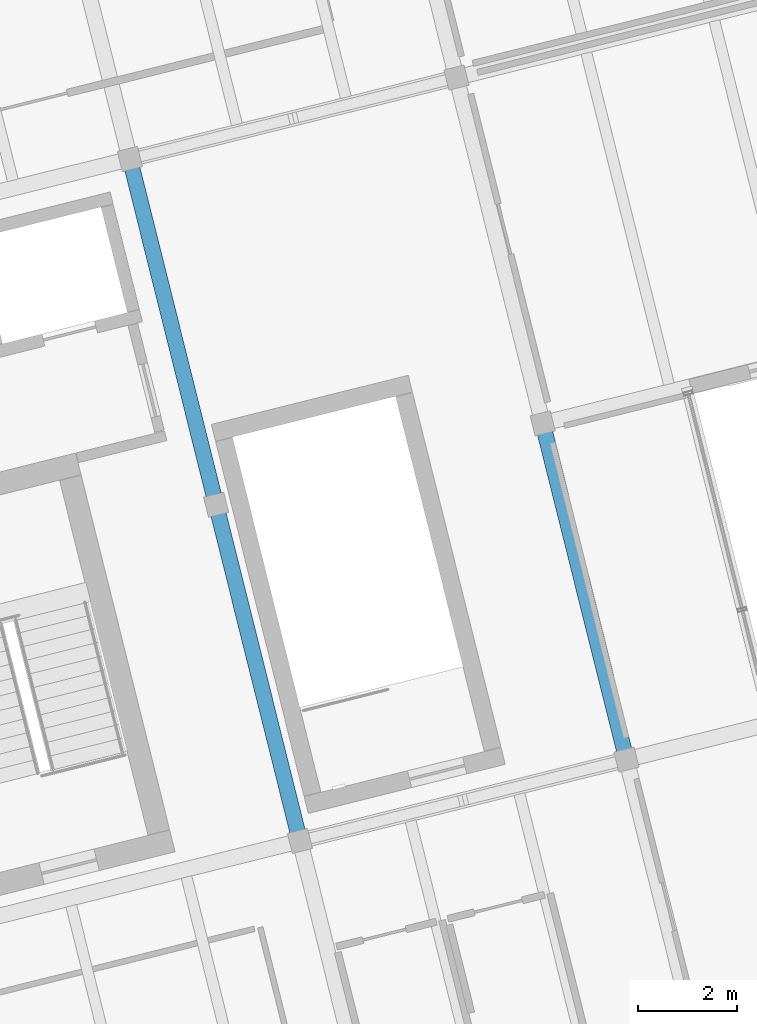
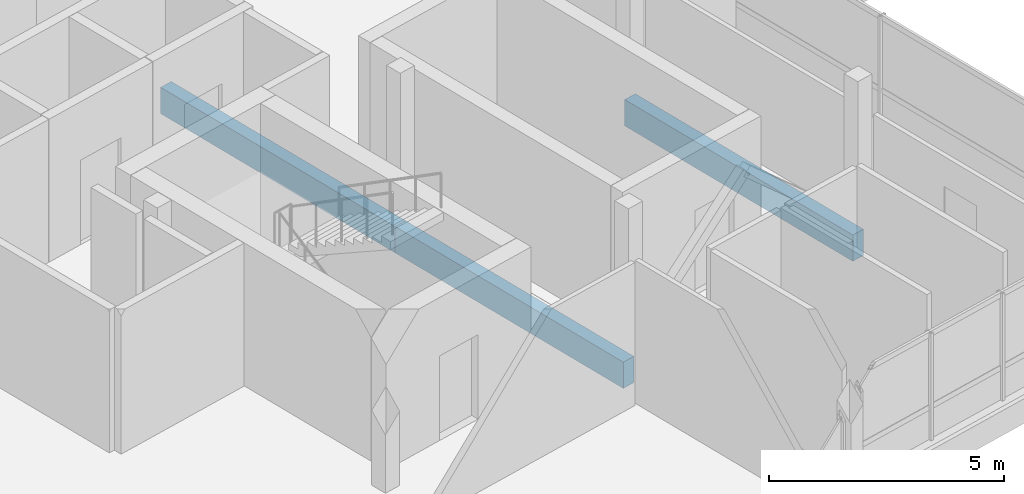
# One storey, part 13 of 28: 3 beams.
"""IFC4 building model written with IfcOpenShell, lengths in metres."""

from ifc_helpers import new_model, si_unit, direction, frame, origin, origin_2d, place, context, subcontext, project, spatial, rectangle, extrude, material, material_profile, profile_set, type_object, element, save


model = new_model("IFC4")

# Units and contexts
model_context = context("Model", 3, precision=1e-05, world=origin(), true_north=direction((0.0, 1.0)))
body_context = subcontext(model_context, "Body", "Model", "MODEL_VIEW")
ifc_project = project(units=[si_unit("LENGTHUNIT", "METRE"), si_unit("AREAUNIT", "SQUARE_METRE"), si_unit("VOLUMEUNIT", "CUBIC_METRE"), si_unit("PLANEANGLEUNIT", "RADIAN"), si_unit("MASSUNIT", "GRAM", prefix="KILO")], contexts=[model_context])

# Site, building, storey
site_placement = place(None, origin())
site = spatial("IfcSite", under=ifc_project, at=site_placement, CompositionType="ELEMENT")
building_placement = place(site_placement, origin())
building = spatial("IfcBuilding", under=site, at=building_placement, Name="Meriwether Solvik Hall", CompositionType="ELEMENT")
storey_placement = place(building_placement, frame((0.0, 0.0, 30.0)))
storey = spatial("IfcBuildingStorey", under=building, at=storey_placement, Name="L07", CompositionType="ELEMENT", Elevation=30.0)

# Beams
ifc_material = material(Name="Glulam Douglas-Fir 24F-V8 GL28h", Category="wood")
ifc_material_profile = material_profile(ifc_material, rectangle(XDim=0.31494140625, YDim=0.68505859375, at=origin_2d()), Name="GLB-315X685")
ifc_profile_set = profile_set([ifc_material_profile], Name="Glulam Douglas-Fir 24F-V8 GL28h")
beam_type = type_object("IfcBeamType", Name="BM-GL-315X685", PredefinedType="BEAM", material=ifc_profile_set)
beam_1_placement = place(storey_placement, frame((95.28759765625, 54.862060546875, -0.5625), z_axis=(-0.241936527961, 0.970292077901, 0.0), x_axis=(-0.970292077901, -0.241936527961, 0.0)))
element("IfcBeam", 1, at=beam_1_placement, inside=storey, type_object=beam_type, Name="Tower Girder T5:TB-TC (L07)", PredefinedType="BEAM", context=body_context, shape_type="SweptSolid", body=[
    extrude(rectangle(XDim=0.31494140625, YDim=0.68505859375, at=origin_2d()), origin(), (0.0, 0.0, 1.0), 7.000244140625),
])
beam_2_placement = place(storey_placement, frame((93.593994140625, 61.654296875, -0.5625), z_axis=(-0.241905269381, 0.970299871507, 0.0), x_axis=(-0.970299871507, -0.241905269381, 0.0)))
element("IfcBeam", 2, at=beam_2_placement, inside=storey, type_object=beam_type, Name="Tower Girder T5:TC-TD (L07)", PredefinedType="BEAM", context=body_context, shape_type="SweptSolid", body=[
    extrude(rectangle(XDim=0.31494140625, YDim=0.68505859375, at=origin_2d()), origin(), (0.0, 0.0, 1.0), 7.199951171875),
])
beam_3_placement = place(storey_placement, frame((101.885498046875, 56.507080078125, -0.5625), z_axis=(-0.241903692719, 0.970300264582, 0.0), x_axis=(-0.970300264582, -0.241903692719, 0.0)))
element("IfcBeam", 3, at=beam_3_placement, inside=storey, type_object=beam_type, Name="Tower Girder T6:TB-TC (L07)", PredefinedType="BEAM", context=body_context, shape_type="SweptSolid", body=[
    extrude(rectangle(XDim=0.31494140625, YDim=0.68505859375, at=origin_2d()), origin(), (0.0, 0.0, 1.0), 7.000244140625),
])

save(model, "model.ifc")
